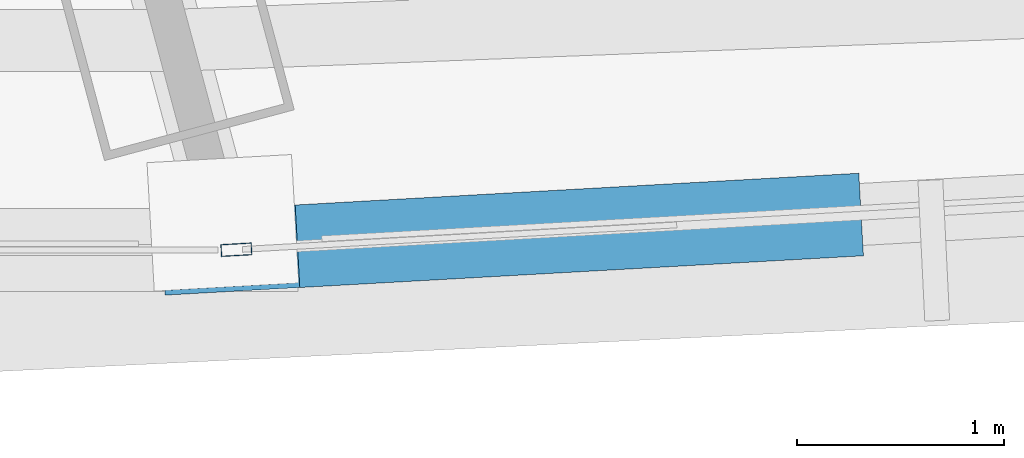
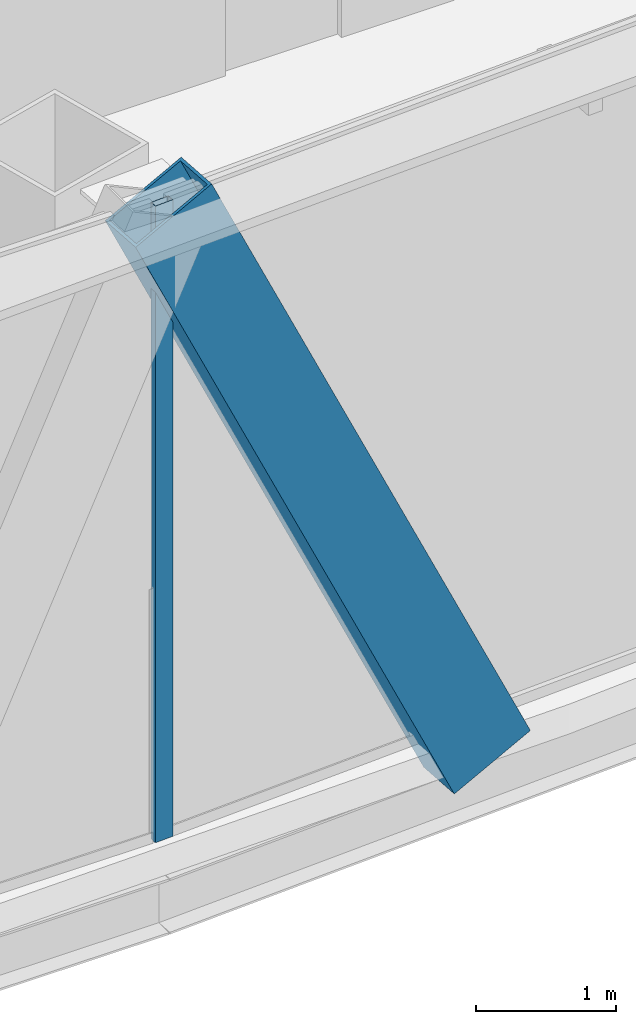
# One storey, part 12 of 40: 2 members, 1 element without a shape of its own.
"""IFC4 building model written with IfcOpenShell, lengths in metres."""

from ifc_helpers import new_model, si_unit, direction, frame, origin, origin_2d, place, context, subcontext, project, spatial, hollow_rectangle, extrude, source, transform, mapped, material, layer, layer_set, material_profile, profile_set, type_object, element, aggregate, save


model = new_model("IFC4")

# Units and contexts
model_context = context("Model", 3, precision=1e-05, world=origin(), true_north=direction((0.0, 1.0)))
body_context = subcontext(model_context, "Body", "Model", "MODEL_VIEW")
ifc_project = project(units=[si_unit("LENGTHUNIT", "METRE"), si_unit("AREAUNIT", "SQUARE_METRE"), si_unit("VOLUMEUNIT", "CUBIC_METRE"), si_unit("PLANEANGLEUNIT", "RADIAN"), si_unit("MASSUNIT", "GRAM", prefix="KILO"), si_unit("THERMODYNAMICTEMPERATUREUNIT", "KELVIN"), si_unit("POWERUNIT", "WATT")], contexts=[model_context])

# Site, building, storey
site_placement = place(None, origin())
site = spatial("IfcSite", under=ifc_project, at=site_placement, CompositionType="ELEMENT")
building_placement = place(site_placement, origin())
building = spatial("IfcBuilding", under=site, at=building_placement, Name="Yunzhuo Pagoda Commons", CompositionType="ELEMENT")
storey_placement = place(building_placement, frame((0.0, 0.0, 170.31005859375)))
storey = spatial("IfcBuildingStorey", under=building, at=storey_placement, Name="L43", CompositionType="ELEMENT", Elevation=170.31005859375)

# Member
ifc_material_1 = material(Name="Structural steel Q355B", Category="steel")
ifc_material_profile_1 = material_profile(ifc_material_1, hollow_rectangle(XDim=0.39990234375, YDim=0.719970703125, WallThickness=0.02392578125, at=origin_2d()), Name="Structural steel Q355B")
ifc_profile_set_1 = profile_set([ifc_material_profile_1], Name="Structural steel Q355B")
member_type_1 = type_object("IfcMemberType", Name="M-DL2 Brace BOX 720x400x24", PredefinedType="BRACE", material=ifc_profile_set_1)
shared_shape_1 = source(origin(), body_context, "Body", "SweptSolid", [
    extrude(hollow_rectangle(XDim=0.39990234375, YDim=0.719970703125, WallThickness=0.02392578125, at=origin_2d()), origin(), (0.0, 0.0, 1.0), 6.4375),
])
member_1_placement = place(storey_placement, frame((56.0830078125, 13.86083984375, -0.260009765625), z_axis=(-0.423433543904, -0.023854876768, 0.905613040294), x_axis=(0.056247577234, -0.998416851849, 0.0)))
element("IfcMember", 1, at=member_1_placement, inside=storey, type_object=member_type_1, Name="L43 facade diamond brace F1.3L", PredefinedType="BRACE", context=body_context, shape_type="MappedRepresentation", body=[
    mapped(shared_shape_1, transform((0.0, 0.0, 0.0), scale=1.0)),
])

# Curtain wall, member
ifc_material_2 = material(Name="Anodized aluminium 6063-T6", Category="aluminium")
ifc_layer = layer(ifc_material_2, 0.14990234375)
ifc_layer_set = layer_set([ifc_layer], Name="Anodized aluminium 6063-T6")
curtain_wall_type = type_object("IfcCurtainWallType", Name="CW-MID Mid-Zone Ribbon Curtain Wall", PredefinedType="NOTDEFINED", material=ifc_layer_set)
curtain_wall_placement = place(storey_placement, origin())
curtain_wall = element("IfcCurtainWall", 2, at=curtain_wall_placement, inside=storey, type_object=curtain_wall_type, Name="L43 curtain wall CW-L43-F1B4", PredefinedType="NOTDEFINED")
ifc_material_profile_2 = material_profile(ifc_material_2, hollow_rectangle(XDim=0.06005859375, YDim=0.14990234375, WallThickness=0.00390625, at=origin_2d()), Name="Anodized aluminium 6063-T6")
ifc_profile_set_2 = profile_set([ifc_material_profile_2], Name="Anodized aluminium 6063-T6")
member_type_2 = type_object("IfcMemberType", Name="CW-MID-M Mullion RHS 150x60x4", PredefinedType="MULLION", material=ifc_profile_set_2)
shared_shape_2 = source(origin(), body_context, "Body", "SweptSolid", [
    extrude(hollow_rectangle(XDim=0.06005859375, YDim=0.14990234375, WallThickness=0.00390625, at=origin_2d()), origin(), (0.0, 0.0, 1.0), 5.56982421875),
])
member_2_placement = place(storey_placement, frame((53.386962890625, 13.708984375, 0.0), z_axis=(0.0, 0.0, 1.0), x_axis=(-0.056298716731, 0.998413969501, 0.0)))
member_2 = element("IfcMember", 3, at=member_2_placement, type_object=member_type_2, Name="CW mullion 1", PredefinedType="MULLION", context=body_context, shape_type="MappedRepresentation", body=[
    mapped(shared_shape_2, transform((0.0, 0.0, 0.0), scale=1.0)),
])
aggregate(curtain_wall, [member_2])

save(model, "model.ifc")
